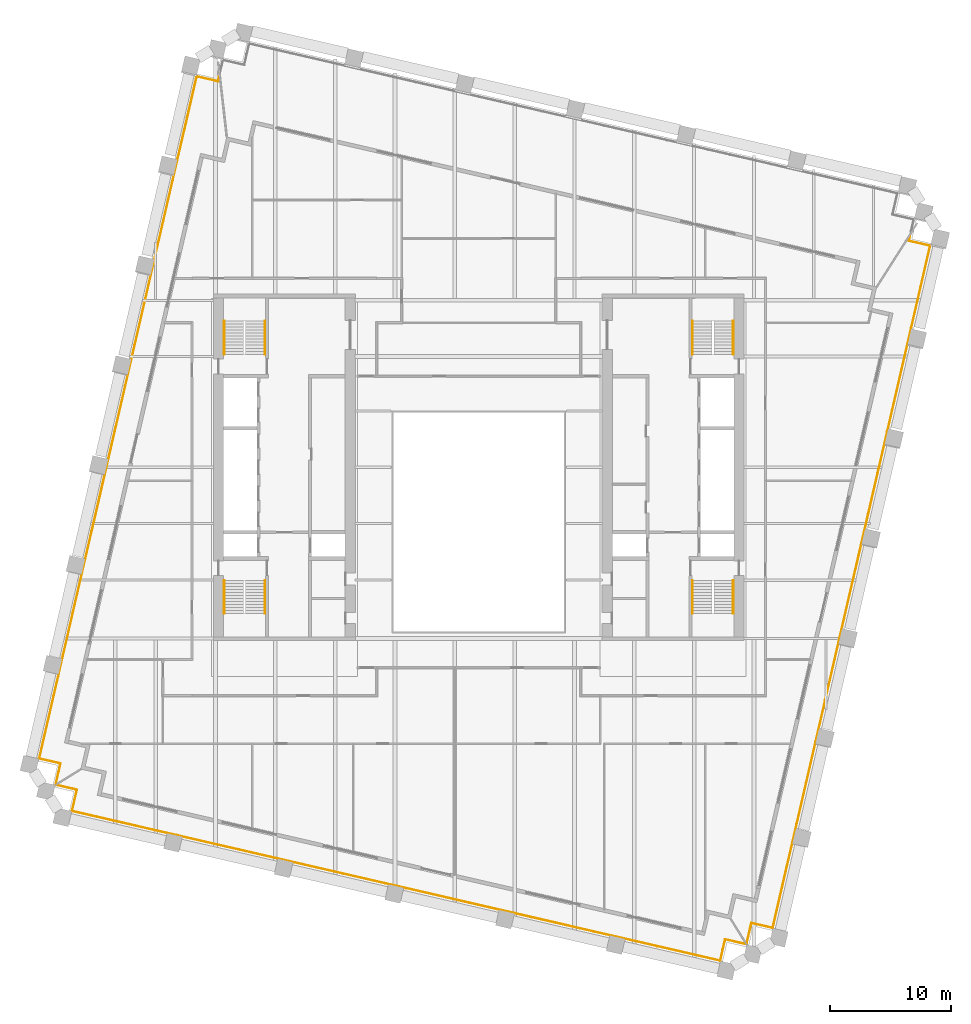
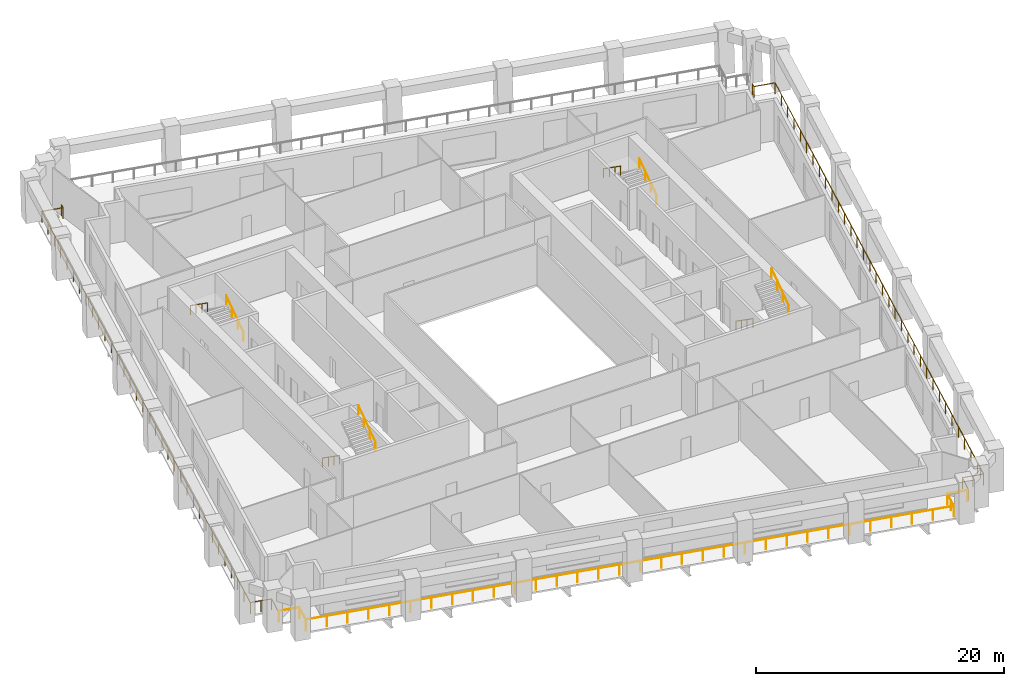
# One storey, part 9 of 10: 11 railings.
"""IFC4 building model written with IfcOpenShell, lengths in metres."""

from ifc_helpers import new_model, si_unit, direction, frame, origin, origin_2d, place, context, subcontext, project, spatial, circle, extrude, material, type_object, element, save


model = new_model("IFC4")

# Units and contexts
model_context = context("Model", 3, precision=1e-05, world=origin(), true_north=direction((0.0, 1.0)))
body_context = subcontext(model_context, "Body", "Model", "MODEL_VIEW")
ifc_project = project(units=[si_unit("LENGTHUNIT", "METRE"), si_unit("AREAUNIT", "SQUARE_METRE"), si_unit("VOLUMEUNIT", "CUBIC_METRE"), si_unit("PLANEANGLEUNIT", "RADIAN"), si_unit("MASSUNIT", "GRAM", prefix="KILO")], contexts=[model_context])

# Site, building, storey
site_placement = place(None, origin())
site = spatial("IfcSite", under=ifc_project, at=site_placement, CompositionType="ELEMENT")
building_placement = place(site_placement, origin())
building = spatial("IfcBuilding", under=site, at=building_placement, Name="Ogive Exchange Tower", CompositionType="ELEMENT")
storey_placement = place(building_placement, frame((0.0, 0.0, 147.60009765625)))
storey = spatial("IfcBuildingStorey", under=building, at=storey_placement, Name="L32", CompositionType="ELEMENT", Elevation=147.60009765625)

# Railings
ifc_material_1 = material(Name="Stainless steel 316", Category="steel")
railing_type_1 = type_object("IfcRailingType", Name="Guard 1100 stainless steel and glass", PredefinedType="GUARDRAIL", material=ifc_material_1)
railing_1_placement = place(storey_placement, frame((21.947265625, -27.74462890625, -0.050048828125)))
element("IfcRailing", 1, at=railing_1_placement, inside=storey, type_object=railing_type_1, Name="Loggia guard 1", PredefinedType="GUARDRAIL", context=body_context, shape_type="SweptSolid", body=[
    extrude(circle(Radius=0.02392578125, at=origin_2d()), frame((0.0, 0.0, 1.076171875), z_axis=(-0.974396013545, 0.224838628327, 0.0), x_axis=(-0.224838628327, -0.974396013545, 0.0)), (0.0, 0.0, 1.0), 1.7080078125),
    extrude(circle(Radius=0.02392578125, at=origin_2d()), frame((-1.664306640625, 0.384033203125, 1.076171875), z_axis=(-0.225008086135, -0.974356896201, 0.0), x_axis=(0.974356896201, -0.225008086135, 0.0)), (0.0, 0.0, 1.0), 1.800048828125),
    extrude(circle(Radius=0.02392578125, at=origin_2d()), frame((-2.0693359375, -1.369873046875, 1.076171875), z_axis=(-0.974368873975, 0.224956212247, 0.0), x_axis=(-0.224956212247, -0.974368873975, 0.0)), (0.0, 0.0, 1.0), 54.760009765625),
    extrude(circle(Radius=0.02392578125, at=origin_2d()), frame((-55.42578125, 10.94873046875, 1.076171875), z_axis=(0.22503782496, 0.974350028141, 0.0), x_axis=(-0.974350028141, 0.22503782496, 0.0)), (0.0, 0.0, 1.0), 1.7998046875),
    extrude(circle(Radius=0.02392578125, at=origin_2d()), frame((-55.020751953125, 12.702392578125, 1.076171875), z_axis=(-0.974364690374, 0.224974332206, 0.0), x_axis=(-0.224974332206, -0.974364690374, 0.0)), (0.0, 0.0, 1.0), 1.7080078125),
    extrude(circle(Radius=0.02099609375, at=origin_2d()), origin(), (0.0, 0.0, 1.0), 1.052001953125),
    extrude(circle(Radius=0.02099609375, at=origin_2d()), frame((-1.664306640625, 0.384033203125, 0.0)), (0.0, 0.0, 1.0), 1.052001953125),
    extrude(circle(Radius=0.02099609375, at=origin_2d()), frame((-1.86669921875, -0.492919921875, 0.0)), (0.0, 0.0, 1.0), 1.052001953125),
    extrude(circle(Radius=0.02099609375, at=origin_2d()), frame((-2.0693359375, -1.369873046875, 0.0)), (0.0, 0.0, 1.0), 1.052001953125),
    extrude(circle(Radius=0.02099609375, at=origin_2d()), frame((-3.79052734375, -0.972412109375, 0.0)), (0.0, 0.0, 1.0), 1.052001953125),
    extrude(circle(Radius=0.02099609375, at=origin_2d()), frame((-5.51171875, -0.5751953125, 0.0)), (0.0, 0.0, 1.0), 1.052001953125),
    extrude(circle(Radius=0.02099609375, at=origin_2d()), frame((-7.23291015625, -0.177734375, 0.0)), (0.0, 0.0, 1.0), 1.052001953125),
    extrude(circle(Radius=0.02099609375, at=origin_2d()), frame((-8.9541015625, 0.2197265625, 0.0)), (0.0, 0.0, 1.0), 1.052001953125),
    extrude(circle(Radius=0.02099609375, at=origin_2d()), frame((-10.67529296875, 0.616943359375, 0.0)), (0.0, 0.0, 1.0), 1.052001953125),
    extrude(circle(Radius=0.02099609375, at=origin_2d()), frame((-12.396484375, 1.014404296875, 0.0)), (0.0, 0.0, 1.0), 1.052001953125),
    extrude(circle(Radius=0.02099609375, at=origin_2d()), frame((-14.11767578125, 1.411865234375, 0.0)), (0.0, 0.0, 1.0), 1.052001953125),
    extrude(circle(Radius=0.02099609375, at=origin_2d()), frame((-15.838623046875, 1.80908203125, 0.0)), (0.0, 0.0, 1.0), 1.052001953125),
    extrude(circle(Radius=0.02099609375, at=origin_2d()), frame((-17.559814453125, 2.20654296875, 0.0)), (0.0, 0.0, 1.0), 1.052001953125),
    extrude(circle(Radius=0.02099609375, at=origin_2d()), frame((-19.281005859375, 2.603759765625, 0.0)), (0.0, 0.0, 1.0), 1.052001953125),
    extrude(circle(Radius=0.02099609375, at=origin_2d()), frame((-21.002197265625, 3.001220703125, 0.0)), (0.0, 0.0, 1.0), 1.052001953125),
    extrude(circle(Radius=0.02099609375, at=origin_2d()), frame((-22.723388671875, 3.398681640625, 0.0)), (0.0, 0.0, 1.0), 1.052001953125),
    extrude(circle(Radius=0.02099609375, at=origin_2d()), frame((-24.444580078125, 3.7958984375, 0.0)), (0.0, 0.0, 1.0), 1.052001953125),
    extrude(circle(Radius=0.02099609375, at=origin_2d()), frame((-26.165771484375, 4.193359375, 0.0)), (0.0, 0.0, 1.0), 1.052001953125),
    extrude(circle(Radius=0.02099609375, at=origin_2d()), frame((-27.886962890625, 4.5908203125, 0.0)), (0.0, 0.0, 1.0), 1.052001953125),
    extrude(circle(Radius=0.02099609375, at=origin_2d()), frame((-29.608154296875, 4.988037109375, 0.0)), (0.0, 0.0, 1.0), 1.052001953125),
    extrude(circle(Radius=0.02099609375, at=origin_2d()), frame((-31.329345703125, 5.385498046875, 0.0)), (0.0, 0.0, 1.0), 1.052001953125),
    extrude(circle(Radius=0.02099609375, at=origin_2d()), frame((-33.050537109375, 5.782958984375, 0.0)), (0.0, 0.0, 1.0), 1.052001953125),
    extrude(circle(Radius=0.02099609375, at=origin_2d()), frame((-34.771728515625, 6.18017578125, 0.0)), (0.0, 0.0, 1.0), 1.052001953125),
    extrude(circle(Radius=0.02099609375, at=origin_2d()), frame((-36.492919921875, 6.57763671875, 0.0)), (0.0, 0.0, 1.0), 1.052001953125),
    extrude(circle(Radius=0.02099609375, at=origin_2d()), frame((-38.214111328125, 6.97509765625, 0.0)), (0.0, 0.0, 1.0), 1.052001953125),
    extrude(circle(Radius=0.02099609375, at=origin_2d()), frame((-39.935302734375, 7.372314453125, 0.0)), (0.0, 0.0, 1.0), 1.052001953125),
    extrude(circle(Radius=0.02099609375, at=origin_2d()), frame((-41.656494140625, 7.769775390625, 0.0)), (0.0, 0.0, 1.0), 1.052001953125),
    extrude(circle(Radius=0.02099609375, at=origin_2d()), frame((-43.37744140625, 8.1669921875, 0.0)), (0.0, 0.0, 1.0), 1.052001953125),
    extrude(circle(Radius=0.02099609375, at=origin_2d()), frame((-45.0986328125, 8.564453125, 0.0)), (0.0, 0.0, 1.0), 1.052001953125),
    extrude(circle(Radius=0.02099609375, at=origin_2d()), frame((-46.81982421875, 8.9619140625, 0.0)), (0.0, 0.0, 1.0), 1.052001953125),
    extrude(circle(Radius=0.02099609375, at=origin_2d()), frame((-48.541015625, 9.359130859375, 0.0)), (0.0, 0.0, 1.0), 1.052001953125),
    extrude(circle(Radius=0.02099609375, at=origin_2d()), frame((-50.26220703125, 9.756591796875, 0.0)), (0.0, 0.0, 1.0), 1.052001953125),
    extrude(circle(Radius=0.02099609375, at=origin_2d()), frame((-51.9833984375, 10.154052734375, 0.0)), (0.0, 0.0, 1.0), 1.052001953125),
    extrude(circle(Radius=0.02099609375, at=origin_2d()), frame((-53.70458984375, 10.55126953125, 0.0)), (0.0, 0.0, 1.0), 1.052001953125),
    extrude(circle(Radius=0.02099609375, at=origin_2d()), frame((-55.42578125, 10.94873046875, 0.0)), (0.0, 0.0, 1.0), 1.052001953125),
    extrude(circle(Radius=0.02099609375, at=origin_2d()), frame((-55.020751953125, 12.702392578125, 0.0)), (0.0, 0.0, 1.0), 1.052001953125),
    extrude(circle(Radius=0.02099609375, at=origin_2d()), frame((-56.68505859375, 13.086669921875, 0.0)), (0.0, 0.0, 1.0), 1.052001953125),
])
railing_2_placement = place(storey_placement, frame((-34.806884765625, -14.547607421875, -0.050048828125)))
element("IfcRailing", 2, at=railing_2_placement, inside=storey, type_object=railing_type_1, Name="Loggia guard 2", PredefinedType="GUARDRAIL", context=body_context, shape_type="SweptSolid", body=[
    extrude(circle(Radius=0.02392578125, at=origin_2d()), frame((0.0, 0.0, 1.076171875), z_axis=(0.224974332206, 0.974364690374, 0.0), x_axis=(-0.974364690374, 0.224974332206, 0.0)), (0.0, 0.0, 1.0), 1.7080078125),
    extrude(circle(Radius=0.02392578125, at=origin_2d()), frame((0.38427734375, 1.664306640625, 1.076171875), z_axis=(-0.974386623598, 0.224879318197, 0.0), x_axis=(-0.224879318197, -0.974386623598, 0.0)), (0.0, 0.0, 1.0), 1.800048828125),
    extrude(circle(Radius=0.02392578125, at=origin_2d()), frame((-1.36962890625, 2.069091796875, 1.076171875), z_axis=(0.224953572415, 0.974369483439, 0.0), x_axis=(-0.974369483439, 0.224953572415, 0.0)), (0.0, 0.0, 1.0), 57.62353515625),
    extrude(circle(Radius=0.02392578125, at=origin_2d()), frame((11.593017578125, 58.2158203125, 1.076171875), z_axis=(0.974350028141, -0.22503782496, 0.0), x_axis=(0.22503782496, 0.974350028141, 0.0)), (0.0, 0.0, 1.0), 1.7998046875),
    extrude(circle(Radius=0.02392578125, at=origin_2d()), frame((13.3466796875, 57.810791015625, 1.076171875), z_axis=(0.225457391347, 0.974253029088, 0.0), x_axis=(-0.974253029088, 0.225457391347, 0.0)), (0.0, 0.0, 1.0), 0.3876953125),
    extrude(circle(Radius=0.02099609375, at=origin_2d()), origin(), (0.0, 0.0, 1.0), 1.052001953125),
    extrude(circle(Radius=0.02099609375, at=origin_2d()), frame((0.38427734375, 1.664306640625, 0.0)), (0.0, 0.0, 1.0), 1.052001953125),
    extrude(circle(Radius=0.02099609375, at=origin_2d()), frame((-0.49267578125, 1.86669921875, 0.0)), (0.0, 0.0, 1.0), 1.052001953125),
    extrude(circle(Radius=0.02099609375, at=origin_2d()), frame((-1.36962890625, 2.069091796875, 0.0)), (0.0, 0.0, 1.0), 1.052001953125),
    extrude(circle(Radius=0.02099609375, at=origin_2d()), frame((-0.976806640625, 3.7705078125, 0.0)), (0.0, 0.0, 1.0), 1.052001953125),
    extrude(circle(Radius=0.02099609375, at=origin_2d()), frame((-0.583984375, 5.471923828125, 0.0)), (0.0, 0.0, 1.0), 1.052001953125),
    extrude(circle(Radius=0.02099609375, at=origin_2d()), frame((-0.191162109375, 7.17333984375, 0.0)), (0.0, 0.0, 1.0), 1.052001953125),
    extrude(circle(Radius=0.02099609375, at=origin_2d()), frame((0.20166015625, 8.874755859375, 0.0)), (0.0, 0.0, 1.0), 1.052001953125),
    extrude(circle(Radius=0.02099609375, at=origin_2d()), frame((0.594482421875, 10.576171875, 0.0)), (0.0, 0.0, 1.0), 1.052001953125),
    extrude(circle(Radius=0.02099609375, at=origin_2d()), frame((0.9873046875, 12.277587890625, 0.0)), (0.0, 0.0, 1.0), 1.052001953125),
    extrude(circle(Radius=0.02099609375, at=origin_2d()), frame((1.380126953125, 13.97900390625, 0.0)), (0.0, 0.0, 1.0), 1.052001953125),
    extrude(circle(Radius=0.02099609375, at=origin_2d()), frame((1.77294921875, 15.680419921875, 0.0)), (0.0, 0.0, 1.0), 1.052001953125),
    extrude(circle(Radius=0.02099609375, at=origin_2d()), frame((2.16552734375, 17.3818359375, 0.0)), (0.0, 0.0, 1.0), 1.052001953125),
    extrude(circle(Radius=0.02099609375, at=origin_2d()), frame((2.558349609375, 19.083251953125, 0.0)), (0.0, 0.0, 1.0), 1.052001953125),
    extrude(circle(Radius=0.02099609375, at=origin_2d()), frame((2.951171875, 20.78466796875, 0.0)), (0.0, 0.0, 1.0), 1.052001953125),
    extrude(circle(Radius=0.02099609375, at=origin_2d()), frame((3.343994140625, 22.486083984375, 0.0)), (0.0, 0.0, 1.0), 1.052001953125),
    extrude(circle(Radius=0.02099609375, at=origin_2d()), frame((3.73681640625, 24.1875, 0.0)), (0.0, 0.0, 1.0), 1.052001953125),
    extrude(circle(Radius=0.02099609375, at=origin_2d()), frame((4.129638671875, 25.888916015625, 0.0)), (0.0, 0.0, 1.0), 1.052001953125),
    extrude(circle(Radius=0.02099609375, at=origin_2d()), frame((4.5224609375, 27.59033203125, 0.0)), (0.0, 0.0, 1.0), 1.052001953125),
    extrude(circle(Radius=0.02099609375, at=origin_2d()), frame((4.915283203125, 29.291748046875, 0.0)), (0.0, 0.0, 1.0), 1.052001953125),
    extrude(circle(Radius=0.02099609375, at=origin_2d()), frame((5.30810546875, 30.9931640625, 0.0)), (0.0, 0.0, 1.0), 1.052001953125),
    extrude(circle(Radius=0.02099609375, at=origin_2d()), frame((5.700927734375, 32.694580078125, 0.0)), (0.0, 0.0, 1.0), 1.052001953125),
    extrude(circle(Radius=0.02099609375, at=origin_2d()), frame((6.09375, 34.39599609375, 0.0)), (0.0, 0.0, 1.0), 1.052001953125),
    extrude(circle(Radius=0.02099609375, at=origin_2d()), frame((6.486572265625, 36.097412109375, 0.0)), (0.0, 0.0, 1.0), 1.052001953125),
    extrude(circle(Radius=0.02099609375, at=origin_2d()), frame((6.87939453125, 37.798828125, 0.0)), (0.0, 0.0, 1.0), 1.052001953125),
    extrude(circle(Radius=0.02099609375, at=origin_2d()), frame((7.272216796875, 39.500244140625, 0.0)), (0.0, 0.0, 1.0), 1.052001953125),
    extrude(circle(Radius=0.02099609375, at=origin_2d()), frame((7.6650390625, 41.20166015625, 0.0)), (0.0, 0.0, 1.0), 1.052001953125),
    extrude(circle(Radius=0.02099609375, at=origin_2d()), frame((8.057861328125, 42.903076171875, 0.0)), (0.0, 0.0, 1.0), 1.052001953125),
    extrude(circle(Radius=0.02099609375, at=origin_2d()), frame((8.450439453125, 44.6044921875, 0.0)), (0.0, 0.0, 1.0), 1.052001953125),
    extrude(circle(Radius=0.02099609375, at=origin_2d()), frame((8.84326171875, 46.305908203125, 0.0)), (0.0, 0.0, 1.0), 1.052001953125),
    extrude(circle(Radius=0.02099609375, at=origin_2d()), frame((9.236083984375, 48.00732421875, 0.0)), (0.0, 0.0, 1.0), 1.052001953125),
    extrude(circle(Radius=0.02099609375, at=origin_2d()), frame((9.62890625, 49.708740234375, 0.0)), (0.0, 0.0, 1.0), 1.052001953125),
    extrude(circle(Radius=0.02099609375, at=origin_2d()), frame((10.021728515625, 51.41015625, 0.0)), (0.0, 0.0, 1.0), 1.052001953125),
    extrude(circle(Radius=0.02099609375, at=origin_2d()), frame((10.41455078125, 53.111572265625, 0.0)), (0.0, 0.0, 1.0), 1.052001953125),
    extrude(circle(Radius=0.02099609375, at=origin_2d()), frame((10.807373046875, 54.81298828125, 0.0)), (0.0, 0.0, 1.0), 1.052001953125),
    extrude(circle(Radius=0.02099609375, at=origin_2d()), frame((11.2001953125, 56.514404296875, 0.0)), (0.0, 0.0, 1.0), 1.052001953125),
    extrude(circle(Radius=0.02099609375, at=origin_2d()), frame((11.593017578125, 58.2158203125, 0.0)), (0.0, 0.0, 1.0), 1.052001953125),
    extrude(circle(Radius=0.02099609375, at=origin_2d()), frame((13.3466796875, 57.810791015625, 0.0)), (0.0, 0.0, 1.0), 1.052001953125),
    extrude(circle(Radius=0.02099609375, at=origin_2d()), frame((13.43408203125, 58.1884765625, 0.0)), (0.0, 0.0, 1.0), 1.052001953125),
])
railing_3_placement = place(storey_placement, frame((35.4912109375, 30.5126953125, -0.050048828125)))
element("IfcRailing", 3, at=railing_3_placement, inside=storey, type_object=railing_type_1, Name="Loggia guard 4", PredefinedType="GUARDRAIL", context=body_context, shape_type="SweptSolid", body=[
    extrude(circle(Radius=0.02392578125, at=origin_2d()), frame((0.0, 0.0, 1.076171875), z_axis=(-0.224399124858, -0.974497323117, 0.0), x_axis=(0.974497323117, -0.224399124858, 0.0)), (0.0, 0.0, 1.0), 0.38720703125),
    extrude(circle(Radius=0.02392578125, at=origin_2d()), frame((-0.0869140625, -0.37744140625, 1.076171875), z_axis=(0.974350028141, -0.22503782496, 0.0), x_axis=(0.22503782496, 0.974350028141, 0.0)), (0.0, 0.0, 1.0), 1.7998046875),
    extrude(circle(Radius=0.02392578125, at=origin_2d()), frame((1.666748046875, -0.782470703125, 1.076171875), z_axis=(-0.224949549996, -0.97437041209, 0.0), x_axis=(0.97437041209, -0.224949549996, 0.0)), (0.0, 0.0, 1.0), 57.62353515625),
    extrude(circle(Radius=0.02392578125, at=origin_2d()), frame((-11.295654296875, -56.92919921875, 1.076171875), z_axis=(-0.974356896201, 0.225008086135, 0.0), x_axis=(-0.225008086135, -0.974356896201, 0.0)), (0.0, 0.0, 1.0), 1.800048828125),
    extrude(circle(Radius=0.02392578125, at=origin_2d()), frame((-13.049560546875, -56.524169921875, 1.076171875), z_axis=(-0.224974332206, -0.974364690374, 0.0), x_axis=(0.974364690374, -0.224974332206, 0.0)), (0.0, 0.0, 1.0), 1.7080078125),
    extrude(circle(Radius=0.02099609375, at=origin_2d()), origin(), (0.0, 0.0, 1.0), 1.052001953125),
    extrude(circle(Radius=0.02099609375, at=origin_2d()), frame((-0.0869140625, -0.37744140625, 0.0)), (0.0, 0.0, 1.0), 1.052001953125),
    extrude(circle(Radius=0.02099609375, at=origin_2d()), frame((1.666748046875, -0.782470703125, 0.0)), (0.0, 0.0, 1.0), 1.052001953125),
    extrude(circle(Radius=0.02099609375, at=origin_2d()), frame((1.27392578125, -2.48388671875, 0.0)), (0.0, 0.0, 1.0), 1.052001953125),
    extrude(circle(Radius=0.02099609375, at=origin_2d()), frame((0.881103515625, -4.185302734375, 0.0)), (0.0, 0.0, 1.0), 1.052001953125),
    extrude(circle(Radius=0.02099609375, at=origin_2d()), frame((0.48828125, -5.88671875, 0.0)), (0.0, 0.0, 1.0), 1.052001953125),
    extrude(circle(Radius=0.02099609375, at=origin_2d()), frame((0.095458984375, -7.588134765625, 0.0)), (0.0, 0.0, 1.0), 1.052001953125),
    extrude(circle(Radius=0.02099609375, at=origin_2d()), frame((-0.29736328125, -9.28955078125, 0.0)), (0.0, 0.0, 1.0), 1.052001953125),
    extrude(circle(Radius=0.02099609375, at=origin_2d()), frame((-0.68994140625, -10.990966796875, 0.0)), (0.0, 0.0, 1.0), 1.052001953125),
    extrude(circle(Radius=0.02099609375, at=origin_2d()), frame((-1.082763671875, -12.6923828125, 0.0)), (0.0, 0.0, 1.0), 1.052001953125),
    extrude(circle(Radius=0.02099609375, at=origin_2d()), frame((-1.4755859375, -14.393798828125, 0.0)), (0.0, 0.0, 1.0), 1.052001953125),
    extrude(circle(Radius=0.02099609375, at=origin_2d()), frame((-1.868408203125, -16.09521484375, 0.0)), (0.0, 0.0, 1.0), 1.052001953125),
    extrude(circle(Radius=0.02099609375, at=origin_2d()), frame((-2.26123046875, -17.796630859375, 0.0)), (0.0, 0.0, 1.0), 1.052001953125),
    extrude(circle(Radius=0.02099609375, at=origin_2d()), frame((-2.654052734375, -19.498046875, 0.0)), (0.0, 0.0, 1.0), 1.052001953125),
    extrude(circle(Radius=0.02099609375, at=origin_2d()), frame((-3.046875, -21.199462890625, 0.0)), (0.0, 0.0, 1.0), 1.052001953125),
    extrude(circle(Radius=0.02099609375, at=origin_2d()), frame((-3.439697265625, -22.90087890625, 0.0)), (0.0, 0.0, 1.0), 1.052001953125),
    extrude(circle(Radius=0.02099609375, at=origin_2d()), frame((-3.83251953125, -24.602294921875, 0.0)), (0.0, 0.0, 1.0), 1.052001953125),
    extrude(circle(Radius=0.02099609375, at=origin_2d()), frame((-4.225341796875, -26.3037109375, 0.0)), (0.0, 0.0, 1.0), 1.052001953125),
    extrude(circle(Radius=0.02099609375, at=origin_2d()), frame((-4.6181640625, -28.005126953125, 0.0)), (0.0, 0.0, 1.0), 1.052001953125),
    extrude(circle(Radius=0.02099609375, at=origin_2d()), frame((-5.0107421875, -29.70654296875, 0.0)), (0.0, 0.0, 1.0), 1.052001953125),
    extrude(circle(Radius=0.02099609375, at=origin_2d()), frame((-5.403564453125, -31.407958984375, 0.0)), (0.0, 0.0, 1.0), 1.052001953125),
    extrude(circle(Radius=0.02099609375, at=origin_2d()), frame((-5.79638671875, -33.109375, 0.0)), (0.0, 0.0, 1.0), 1.052001953125),
    extrude(circle(Radius=0.02099609375, at=origin_2d()), frame((-6.189208984375, -34.810791015625, 0.0)), (0.0, 0.0, 1.0), 1.052001953125),
    extrude(circle(Radius=0.02099609375, at=origin_2d()), frame((-6.58203125, -36.51220703125, 0.0)), (0.0, 0.0, 1.0), 1.052001953125),
    extrude(circle(Radius=0.02099609375, at=origin_2d()), frame((-6.974853515625, -38.213623046875, 0.0)), (0.0, 0.0, 1.0), 1.052001953125),
    extrude(circle(Radius=0.02099609375, at=origin_2d()), frame((-7.36767578125, -39.9150390625, 0.0)), (0.0, 0.0, 1.0), 1.052001953125),
    extrude(circle(Radius=0.02099609375, at=origin_2d()), frame((-7.760498046875, -41.616455078125, 0.0)), (0.0, 0.0, 1.0), 1.052001953125),
    extrude(circle(Radius=0.02099609375, at=origin_2d()), frame((-8.1533203125, -43.31787109375, 0.0)), (0.0, 0.0, 1.0), 1.052001953125),
    extrude(circle(Radius=0.02099609375, at=origin_2d()), frame((-8.546142578125, -45.019287109375, 0.0)), (0.0, 0.0, 1.0), 1.052001953125),
    extrude(circle(Radius=0.02099609375, at=origin_2d()), frame((-8.93896484375, -46.720703125, 0.0)), (0.0, 0.0, 1.0), 1.052001953125),
    extrude(circle(Radius=0.02099609375, at=origin_2d()), frame((-9.33154296875, -48.422119140625, 0.0)), (0.0, 0.0, 1.0), 1.052001953125),
    extrude(circle(Radius=0.02099609375, at=origin_2d()), frame((-9.724365234375, -50.12353515625, 0.0)), (0.0, 0.0, 1.0), 1.052001953125),
    extrude(circle(Radius=0.02099609375, at=origin_2d()), frame((-10.1171875, -51.824951171875, 0.0)), (0.0, 0.0, 1.0), 1.052001953125),
    extrude(circle(Radius=0.02099609375, at=origin_2d()), frame((-10.510009765625, -53.5263671875, 0.0)), (0.0, 0.0, 1.0), 1.052001953125),
    extrude(circle(Radius=0.02099609375, at=origin_2d()), frame((-10.90283203125, -55.227783203125, 0.0)), (0.0, 0.0, 1.0), 1.052001953125),
    extrude(circle(Radius=0.02099609375, at=origin_2d()), frame((-11.295654296875, -56.92919921875, 0.0)), (0.0, 0.0, 1.0), 1.052001953125),
    extrude(circle(Radius=0.02099609375, at=origin_2d()), frame((-12.172607421875, -56.7265625, 0.0)), (0.0, 0.0, 1.0), 1.052001953125),
    extrude(circle(Radius=0.02099609375, at=origin_2d()), frame((-13.049560546875, -56.524169921875, 0.0)), (0.0, 0.0, 1.0), 1.052001953125),
    extrude(circle(Radius=0.02099609375, at=origin_2d()), frame((-13.433837890625, -58.1884765625, 0.0)), (0.0, 0.0, 1.0), 1.052001953125),
])
ifc_material_2 = material(Name="Stainless steel", Category="steel")
railing_type_2 = type_object("IfcRailingType", Name="Stair handrail 900", PredefinedType="HANDRAIL", material=ifc_material_2)
railing_4_placement = place(storey_placement, frame((-20.949951171875, 2.199951171875, 0.1748046875)))
element("IfcRailing", 4, at=railing_4_placement, inside=storey, type_object=railing_type_2, Name="L32 ST1 stair handrail 1", PredefinedType="HANDRAIL", context=body_context, shape_type="SweptSolid", body=[
    extrude(circle(Radius=0.02392578125, at=origin_2d()), frame((0.0, 0.0, 0.8759765625), z_axis=(0.0, -0.819225086817, 0.573472106672), x_axis=(1.0, 0.0, 0.0)), (0.0, 0.0, 1.0), 3.35693359375),
    extrude(circle(Radius=0.02099609375, at=origin_2d()), origin(), (0.0, 0.0, 1.0), 0.851806640625),
    extrude(circle(Radius=0.02099609375, at=origin_2d()), frame((0.0, -0.916748046875, 0.6416015625)), (0.0, 0.0, 1.0), 0.851806640625),
    extrude(circle(Radius=0.02099609375, at=origin_2d()), frame((0.0, -1.833251953125, 1.283447265625)), (0.0, 0.0, 1.0), 0.851806640625),
    extrude(circle(Radius=0.02099609375, at=origin_2d()), frame((0.0, -2.75, 1.925048828125)), (0.0, 0.0, 1.0), 0.851806640625),
])
for number, where, name in (
    (5, (-17.60009765625, -0.550048828125, 2.27490234375), "L32 ST1 stair handrail 2"),
    (6, (-17.60009765625, 20.800048828125, 0.1748046875), "L32 ST2 stair handrail 1"),
):
    element("IfcRailing", number, at=place(storey_placement, frame(where)), inside=storey, type_object=railing_type_2, Name=name, PredefinedType="HANDRAIL", context=body_context, shape_type="SweptSolid", body=[
        extrude(circle(Radius=0.02392578125, at=origin_2d()), frame((0.0, 0.0, 0.8759765625), z_axis=(0.0, 0.819225086817, 0.573472106672), x_axis=(-1.0, 0.0, 0.0)), (0.0, 0.0, 1.0), 3.35693359375),
        extrude(circle(Radius=0.02099609375, at=origin_2d()), origin(), (0.0, 0.0, 1.0), 0.851806640625),
        extrude(circle(Radius=0.02099609375, at=origin_2d()), frame((0.0, 0.916748046875, 0.6416015625)), (0.0, 0.0, 1.0), 0.851806640625),
        extrude(circle(Radius=0.02099609375, at=origin_2d()), frame((0.0, 1.833251953125, 1.283447265625)), (0.0, 0.0, 1.0), 0.851806640625),
        extrude(circle(Radius=0.02099609375, at=origin_2d()), frame((0.0, 2.75, 1.925048828125)), (0.0, 0.0, 1.0), 0.851806640625),
    ])
for number, where, name in (
    (7, (-20.949951171875, 23.550048828125, 2.27490234375), "L32 ST2 stair handrail 2"),
    (8, (17.60009765625, 2.199951171875, 0.1748046875), "L32 ST3 stair handrail 1"),
):
    element("IfcRailing", number, at=place(storey_placement, frame(where)), inside=storey, type_object=railing_type_2, Name=name, PredefinedType="HANDRAIL", context=body_context, shape_type="SweptSolid", body=[
        extrude(circle(Radius=0.02392578125, at=origin_2d()), frame((0.0, 0.0, 0.8759765625), z_axis=(0.0, -0.819225086817, 0.573472106672), x_axis=(1.0, 0.0, 0.0)), (0.0, 0.0, 1.0), 3.35693359375),
        extrude(circle(Radius=0.02099609375, at=origin_2d()), origin(), (0.0, 0.0, 1.0), 0.851806640625),
        extrude(circle(Radius=0.02099609375, at=origin_2d()), frame((0.0, -0.916748046875, 0.6416015625)), (0.0, 0.0, 1.0), 0.851806640625),
        extrude(circle(Radius=0.02099609375, at=origin_2d()), frame((0.0, -1.833251953125, 1.283447265625)), (0.0, 0.0, 1.0), 0.851806640625),
        extrude(circle(Radius=0.02099609375, at=origin_2d()), frame((0.0, -2.75, 1.925048828125)), (0.0, 0.0, 1.0), 0.851806640625),
    ])
for number, where, name in (
    (9, (20.949951171875, -0.550048828125, 2.27490234375), "L32 ST3 stair handrail 2"),
    (10, (20.949951171875, 20.800048828125, 0.1748046875), "L32 ST4 stair handrail 1"),
):
    element("IfcRailing", number, at=place(storey_placement, frame(where)), inside=storey, type_object=railing_type_2, Name=name, PredefinedType="HANDRAIL", context=body_context, shape_type="SweptSolid", body=[
        extrude(circle(Radius=0.02392578125, at=origin_2d()), frame((0.0, 0.0, 0.8759765625), z_axis=(0.0, 0.819225086817, 0.573472106672), x_axis=(-1.0, 0.0, 0.0)), (0.0, 0.0, 1.0), 3.35693359375),
        extrude(circle(Radius=0.02099609375, at=origin_2d()), origin(), (0.0, 0.0, 1.0), 0.851806640625),
        extrude(circle(Radius=0.02099609375, at=origin_2d()), frame((0.0, 0.916748046875, 0.6416015625)), (0.0, 0.0, 1.0), 0.851806640625),
        extrude(circle(Radius=0.02099609375, at=origin_2d()), frame((0.0, 1.833251953125, 1.283447265625)), (0.0, 0.0, 1.0), 0.851806640625),
        extrude(circle(Radius=0.02099609375, at=origin_2d()), frame((0.0, 2.75, 1.925048828125)), (0.0, 0.0, 1.0), 0.851806640625),
    ])
railing_5_placement = place(storey_placement, frame((17.60009765625, 23.550048828125, 2.27490234375)))
element("IfcRailing", 11, at=railing_5_placement, inside=storey, type_object=railing_type_2, Name="L32 ST4 stair handrail 2", PredefinedType="HANDRAIL", context=body_context, shape_type="SweptSolid", body=[
    extrude(circle(Radius=0.02392578125, at=origin_2d()), frame((0.0, 0.0, 0.8759765625), z_axis=(0.0, -0.819225086817, 0.573472106672), x_axis=(1.0, 0.0, 0.0)), (0.0, 0.0, 1.0), 3.35693359375),
    extrude(circle(Radius=0.02099609375, at=origin_2d()), origin(), (0.0, 0.0, 1.0), 0.851806640625),
    extrude(circle(Radius=0.02099609375, at=origin_2d()), frame((0.0, -0.916748046875, 0.6416015625)), (0.0, 0.0, 1.0), 0.851806640625),
    extrude(circle(Radius=0.02099609375, at=origin_2d()), frame((0.0, -1.833251953125, 1.283447265625)), (0.0, 0.0, 1.0), 0.851806640625),
    extrude(circle(Radius=0.02099609375, at=origin_2d()), frame((0.0, -2.75, 1.925048828125)), (0.0, 0.0, 1.0), 0.851806640625),
])

save(model, "model.ifc")
